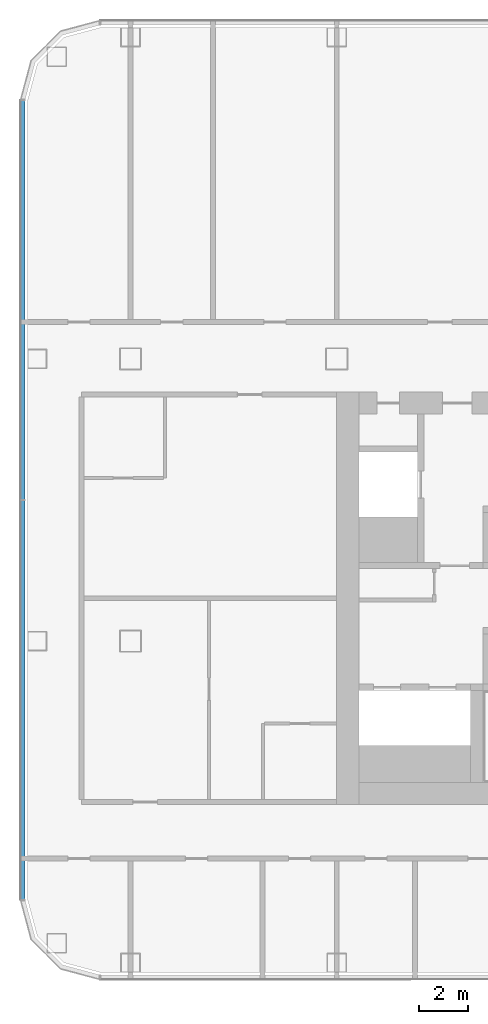
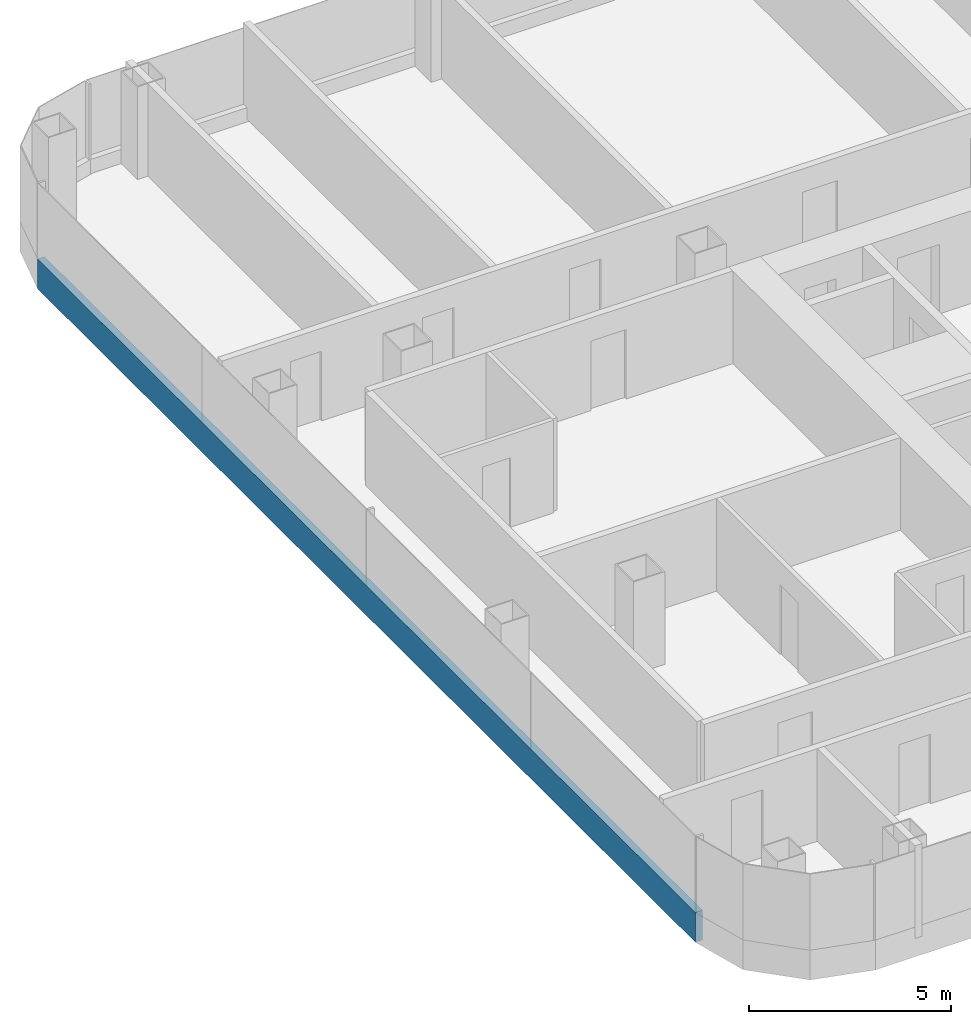
# One storey, part 3 of 29: 1 member, 1 element without a shape of its own.
"""IFC4 building model written with IfcOpenShell, lengths in metres."""

from ifc_helpers import new_model, si_unit, direction, frame, origin, origin_2d, place, context, subcontext, project, spatial, rectangle, extrude, material, layer, layer_set, material_profile, profile_set, type_object, element, aggregate, save


model = new_model("IFC4")

# Units and contexts
model_context = context("Model", 3, precision=1e-05, world=origin(), true_north=direction((0.0, 1.0)))
body_context = subcontext(model_context, "Body", "Model", "MODEL_VIEW")
ifc_project = project(units=[si_unit("LENGTHUNIT", "METRE"), si_unit("AREAUNIT", "SQUARE_METRE"), si_unit("VOLUMEUNIT", "CUBIC_METRE"), si_unit("PLANEANGLEUNIT", "RADIAN"), si_unit("MASSUNIT", "GRAM", prefix="KILO")], contexts=[model_context])

# Site, building, storey
site_placement = place(None, origin())
site = spatial("IfcSite", under=ifc_project, at=site_placement, CompositionType="ELEMENT")
building_placement = place(site_placement, origin())
building = spatial("IfcBuilding", under=site, at=building_placement, Name="Hakoniwa Tower and Hamabe Station Hall", CompositionType="ELEMENT")
storey_placement = place(building_placement, frame((0.0, 0.0, 104.199951171875)))
storey = spatial("IfcBuildingStorey", under=building, at=storey_placement, Name="L29", CompositionType="ELEMENT", Elevation=104.199951171875)

# Curtain wall, member
ifc_material_1 = material(Name="Dark low-e laminated glass", Category="glass")
ifc_layer = layer(ifc_material_1, 0.199951171875)
ifc_layer_set = layer_set([ifc_layer], Name="CW-1 UNITISED GUEST")
curtain_wall_type = type_object("IfcCurtainWallType", Name="CW-1 UNITISED GUEST", PredefinedType="NOTDEFINED", material=ifc_layer_set)
curtain_wall_placement = place(storey_placement, origin())
curtain_wall = element("IfcCurtainWall", 1, at=curtain_wall_placement, inside=storey, type_object=curtain_wall_type, Name="CW-1 curtain wall", PredefinedType="NOTDEFINED")
ifc_material_2 = material(Name="Aluminium 6063-T5 black anodised", Category="aluminium")
ifc_material_profile = material_profile(ifc_material_2, rectangle(XDim=0.199951171875, YDim=0.89990234375, at=origin_2d()), Name="CW SLAB-EDGE BAND 900X200")
ifc_profile_set = profile_set([ifc_material_profile], Name="Aluminium 6063-T5 black anodised")
member_type = type_object("IfcMemberType", Name="CW SLAB-EDGE BAND 900X200", PredefinedType="USERDEFINED", material=ifc_profile_set)
member_placement = place(storey_placement, frame((-46.39990234375, 20.28955078125, -0.099853515625), z_axis=(0.0, -1.0, 0.0), x_axis=(1.0, 0.0, 0.0)))
member = element("IfcMember", 2, at=member_placement, type_object=member_type, Name="CW-1 transom", ObjectType="TRANSOM", PredefinedType="USERDEFINED", context=body_context, shape_type="SweptSolid", body=[
    extrude(rectangle(XDim=0.199951171875, YDim=0.89990234375, at=origin_2d()), origin(), (0.0, 0.0, 1.0), 32.5791015625),
])
aggregate(curtain_wall, [member])

save(model, "model.ifc")
